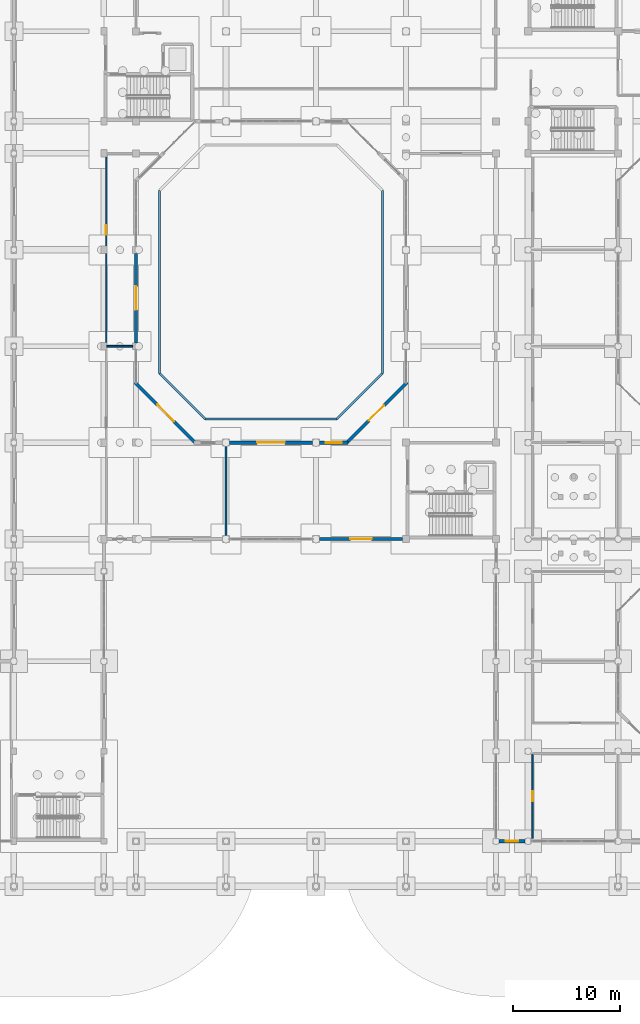
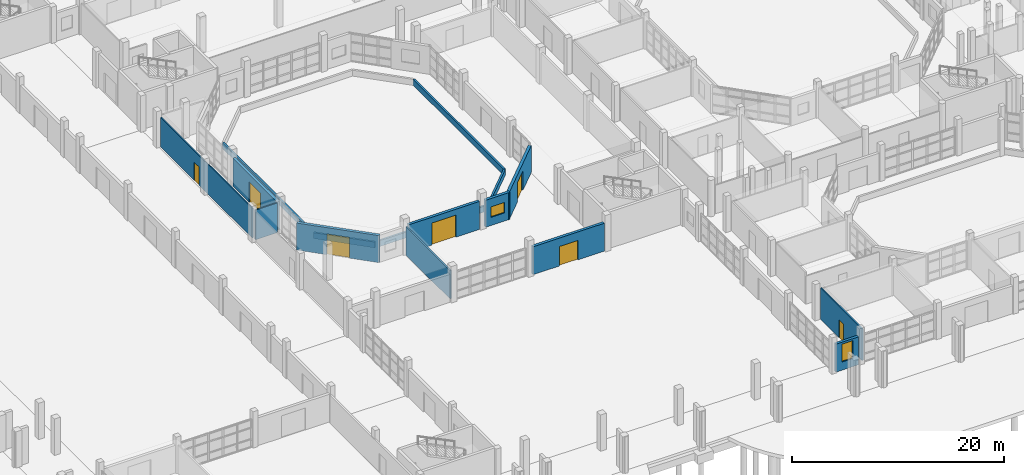
# One storey, part 57 of 88: 16 walls, 7 doors, 2 windows, 9 openings.
"""IFC4 building model written with IfcOpenShell, lengths in metres."""

from ifc_helpers import new_model, si_unit, direction, frame, frame_2d, origin, place, context, subcontext, project, spatial, rectangle, extrude, material, layer, layer_set, type_object, element, fill, save


model = new_model("IFC4")

# Units and contexts
model_context = context("Model", 3, precision=1e-05, world=origin(), true_north=direction((0.0, 1.0)))
body_context = subcontext(model_context, "Body", "Model", "MODEL_VIEW")
ifc_project = project(units=[si_unit("LENGTHUNIT", "METRE"), si_unit("AREAUNIT", "SQUARE_METRE"), si_unit("VOLUMEUNIT", "CUBIC_METRE"), si_unit("PLANEANGLEUNIT", "RADIAN"), si_unit("MASSUNIT", "GRAM", prefix="KILO")], contexts=[model_context])

# Site, building, storey
site_placement = place(None, origin())
site = spatial("IfcSite", under=ifc_project, at=site_placement, CompositionType="ELEMENT")
building_placement = place(site_placement, origin())
building = spatial("IfcBuilding", under=site, at=building_placement, Name="Vanh Quang Courtyard School", CompositionType="ELEMENT")
storey_placement = place(building_placement, origin())
storey = spatial("IfcBuildingStorey", under=building, at=storey_placement, Name="L00", CompositionType="ELEMENT", Elevation=0.0)

# Wall, opening, window
ifc_material_1 = material(Name="Concrete C35/45", Category="concrete")
ifc_layer_1 = layer(ifc_material_1, 0.300048828125)
ifc_layer_set_1 = layer_set([ifc_layer_1], Name="Concrete C35/45")
wall_type_1 = type_object("IfcWallType", Name="W-EXT-300", PredefinedType="SOLIDWALL", material=ifc_layer_set_1)
wall_1_placement = place(storey_placement, frame((77.126953125, 4.199951171875, 0.0), z_axis=(0.0, 0.0, 1.0), x_axis=(-1.0, 0.0, 0.0)))
wall_1 = element("IfcWall", 1, at=wall_1_placement, inside=storey, type_object=wall_type_1, Name="Wall WE-01 (L00)", PredefinedType="SOLIDWALL", context=body_context, shape_type="SweptSolid", body=[
    extrude(rectangle(XDim=2.453857421875, YDim=0.300048828125, at=frame_2d((1.22705078125, 0.0))), origin(), (0.0, 0.0, 1.0), 3.219970703125),
])
opening_1_placement = place(wall_1_placement, frame((0.626953125, 0.0, 0.949951171875)))
opening_1 = element("IfcOpeningElement", 2, at=opening_1_placement, cuts=wall_1, Name="Opening WN-28", PredefinedType="OPENING", context=body_context, shape_type="SweptSolid", body=[
    extrude(rectangle(XDim=1.199951171875, YDim=2.050048828125, at=frame_2d((0.60009765625, 1.02490234375))), frame((0.0, 0.16015625, 0.0), z_axis=(0.0, -1.0, 0.0), x_axis=(1.0, 0.0, 0.0)), (0.0, 0.0, 1.0), 0.320068359375),
])
ifc_material_2 = material(Name="Anodised aluminium and low-E double glazing", Category="aluminium")
window_type_1 = type_object("IfcWindowType", Name="WIN-TYP-28", PartitioningType="SINGLE_PANEL", PredefinedType="WINDOW", material=ifc_material_2)
window_1_placement = place(opening_1_placement, origin())
window_1 = element("IfcWindow", 3, at=window_1_placement, inside=storey, type_object=window_type_1, Name="Window WN-28 (L00)", OverallHeight=2.050048828125, OverallWidth=1.199951171875, PartitioningType="SINGLE_PANEL", PredefinedType="WINDOW", context=body_context, shape_type="SweptSolid", body=[
    extrude(rectangle(XDim=1.199951171875, YDim=2.050048828125, at=frame_2d((0.60009765625, 1.02490234375))), frame((0.0, 0.030029296875, 0.0), z_axis=(0.0, -1.0, 0.0), x_axis=(1.0, 0.0, 0.0)), (0.0, 0.0, 1.0), 0.06005859375),
])
fill(opening_1, window_1)

# Wall, opening, door
wall_2_placement = place(storey_placement, frame((65.677001953125, 32.39990234375, 0.0), z_axis=(0.0, 0.0, 1.0), x_axis=(-1.0, 0.0, 0.0)))
wall_2 = element("IfcWall", 4, at=wall_2_placement, inside=storey, type_object=wall_type_1, Name="Wall WE-01 (L00)", PredefinedType="SOLIDWALL", context=body_context, shape_type="SweptSolid", body=[
    extrude(rectangle(XDim=7.75390625, YDim=0.300048828125, at=frame_2d((3.876953125, 0.0))), origin(), (0.0, 0.0, 1.0), 3.219970703125),
])
opening_2_placement = place(wall_2_placement, frame((2.876953125, 0.0, 0.0)))
opening_2 = element("IfcOpeningElement", 5, at=opening_2_placement, cuts=wall_2, Name="Opening L00-EX26", PredefinedType="OPENING", context=body_context, shape_type="SweptSolid", body=[
    extrude(rectangle(XDim=2.0, YDim=2.25, at=frame_2d((1.0, 1.125))), frame((0.0, 0.16015625, 0.0), z_axis=(0.0, -1.0, 0.0), x_axis=(1.0, 0.0, 0.0)), (0.0, 0.0, 1.0), 0.320068359375),
])
ifc_material_3 = material(Name="Thermally broken aluminium and laminated safety glass", Category="aluminium")
door_type_1 = type_object("IfcDoorType", Name="EDR-TYP-10", OperationType="NOTDEFINED", PredefinedType="DOOR", material=ifc_material_3)
door_1_placement = place(opening_2_placement, origin())
door_1 = element("IfcDoor", 6, at=door_1_placement, inside=storey, type_object=door_type_1, Name="Door L00-EX26 (L00)", OperationType="DOUBLE_DOOR_SINGLE_SWING", OverallHeight=2.25, OverallWidth=2.0, PredefinedType="DOOR", context=body_context, shape_type="SweptSolid", body=[
    extrude(rectangle(XDim=2.0, YDim=2.25, at=frame_2d((1.0, 1.125))), frame((0.0, 0.02490234375, 0.0), z_axis=(0.0, -1.0, 0.0), x_axis=(1.0, 0.0, 0.0)), (0.0, 0.0, 1.0), 0.050048828125),
])
fill(opening_2, door_1)

wall_3_placement = place(storey_placement, frame((40.715087890625, 47.02880859375, 0.0), z_axis=(0.0, 0.0, 1.0), x_axis=(0.707121887885, -0.707091674165, 0.0)))
wall_3 = element("IfcWall", 7, at=wall_3_placement, inside=storey, type_object=wall_type_1, Name="Wall WE-01 (L00)", PredefinedType="SOLIDWALL", context=body_context, shape_type="SweptSolid", body=[
    extrude(rectangle(XDim=8.08056640625, YDim=0.300048828125, at=frame_2d((4.040283203125, 0.0))), origin(), (0.0, 0.0, 1.0), 3.1201171875),
])
opening_3_placement = place(wall_3_placement, frame((2.940185546875, 0.0, 0.0)))
opening_3 = element("IfcOpeningElement", 8, at=opening_3_placement, cuts=wall_3, Name="Opening L00-GT03", PredefinedType="OPENING", context=body_context, shape_type="SweptSolid", body=[
    extrude(rectangle(XDim=2.199951171875, YDim=2.39990234375, at=frame_2d((1.10009765625, 1.199951171875))), frame((0.0, 0.16015625, 0.0), z_axis=(0.0, -1.0, 0.0), x_axis=(1.0, 0.0, 0.0)), (0.0, 0.0, 1.0), 0.320068359375),
])
door_type_2 = type_object("IfcDoorType", Name="EDR-TYP-17", OperationType="NOTDEFINED", PredefinedType="GATE", material=ifc_material_3)
door_2_placement = place(opening_3_placement, origin())
door_2 = element("IfcDoor", 9, at=door_2_placement, inside=storey, type_object=door_type_2, Name="Door L00-GT03 (L00)", OperationType="DOUBLE_DOOR_SINGLE_SWING", OverallHeight=2.39990234375, OverallWidth=2.199951171875, PredefinedType="GATE", context=body_context, shape_type="SweptSolid", body=[
    extrude(rectangle(XDim=2.199951171875, YDim=2.39990234375, at=frame_2d((1.10009765625, 1.199951171875))), frame((0.0, 0.02490234375, 0.0), z_axis=(0.0, -1.0, 0.0), x_axis=(1.0, 0.0, 0.0)), (0.0, 0.0, 1.0), 0.050048828125),
])
fill(opening_3, door_2)

wall_4_placement = place(storey_placement, frame((49.52294921875, 41.39990234375, 0.0), z_axis=(0.0, 0.0, 1.0), x_axis=(1.0, 0.0, 0.0)))
wall_4 = element("IfcWall", 10, at=wall_4_placement, inside=storey, type_object=wall_type_1, Name="Wall WE-01 (L00)", PredefinedType="SOLIDWALL", context=body_context, shape_type="SweptSolid", body=[
    extrude(rectangle(XDim=7.754150390625, YDim=0.300048828125, at=frame_2d((3.876953125, 0.0))), origin(), (0.0, 0.0, 1.0), 3.219970703125),
])
opening_4_placement = place(wall_4_placement, frame((2.576904296875, 0.0, 0.0)))
opening_4 = element("IfcOpeningElement", 11, at=opening_4_placement, cuts=wall_4, Name="Opening L00-EX38", PredefinedType="OPENING", context=body_context, shape_type="SweptSolid", body=[
    extrude(rectangle(XDim=2.60009765625, YDim=2.550048828125, at=frame_2d((1.300048828125, 1.27490234375))), frame((0.0, 0.16015625, 0.0), z_axis=(0.0, -1.0, 0.0), x_axis=(1.0, 0.0, 0.0)), (0.0, 0.0, 1.0), 0.320068359375),
])
door_type_3 = type_object("IfcDoorType", Name="EDR-TYP-16", OperationType="NOTDEFINED", PredefinedType="DOOR", material=ifc_material_3)
door_3_placement = place(opening_4_placement, origin())
door_3 = element("IfcDoor", 12, at=door_3_placement, inside=storey, type_object=door_type_3, Name="Door L00-EX38 (L00)", OperationType="DOUBLE_DOOR_SINGLE_SWING", OverallHeight=2.550048828125, OverallWidth=2.60009765625, PredefinedType="DOOR", context=body_context, shape_type="SweptSolid", body=[
    extrude(rectangle(XDim=2.60009765625, YDim=2.550048828125, at=frame_2d((1.300048828125, 1.27490234375))), frame((0.0, 0.02490234375, 0.0), z_axis=(0.0, -1.0, 0.0), x_axis=(1.0, 0.0, 0.0)), (0.0, 0.0, 1.0), 0.050048828125),
])
fill(opening_4, door_3)

# Wall, opening, window
wall_5_placement = place(storey_placement, frame((57.923095703125, 41.39990234375, 0.0), z_axis=(0.0, 0.0, 1.0), x_axis=(1.0, 0.0, 0.0)))
wall_5 = element("IfcWall", 13, at=wall_5_placement, inside=storey, type_object=wall_type_1, Name="Wall WE-01 (L00)", PredefinedType="SOLIDWALL", context=body_context, shape_type="SweptSolid", body=[
    extrude(rectangle(XDim=2.65283203125, YDim=0.300048828125, at=frame_2d((1.326416015625, 0.0))), origin(), (0.0, 0.0, 1.0), 3.1201171875),
])
opening_5_placement = place(wall_5_placement, frame((0.576416015625, 0.0, 0.949951171875)))
opening_5 = element("IfcOpeningElement", 14, at=opening_5_placement, cuts=wall_5, Name="Opening WN-02", PredefinedType="OPENING", context=body_context, shape_type="SweptSolid", body=[
    extrude(rectangle(XDim=1.5, YDim=1.199951171875, at=frame_2d((0.75, 0.60009765625))), frame((0.0, 0.16015625, 0.0), z_axis=(0.0, -1.0, 0.0), x_axis=(1.0, 0.0, 0.0)), (0.0, 0.0, 1.0), 0.320068359375),
])
window_type_2 = type_object("IfcWindowType", Name="WIN-TYP-02", PartitioningType="SINGLE_PANEL", PredefinedType="WINDOW", material=ifc_material_2)
window_2_placement = place(opening_5_placement, origin())
window_2 = element("IfcWindow", 15, at=window_2_placement, inside=storey, type_object=window_type_2, Name="Window WN-02 (L00)", OverallHeight=1.199951171875, OverallWidth=1.5, PartitioningType="SINGLE_PANEL", PredefinedType="WINDOW", context=body_context, shape_type="SweptSolid", body=[
    extrude(rectangle(XDim=1.5, YDim=1.199951171875, at=frame_2d((0.75, 0.60009765625))), frame((0.0, 0.030029296875, 0.0), z_axis=(0.0, -1.0, 0.0), x_axis=(1.0, 0.0, 0.0)), (0.0, 0.0, 1.0), 0.06005859375),
])
fill(opening_5, window_2)

# Wall, opening, door
wall_6_placement = place(storey_placement, frame((60.37109375, 41.315185546875, 0.0), z_axis=(0.0, 0.0, 1.0), x_axis=(0.707121887885, 0.707091674165, 0.0)))
wall_6 = element("IfcWall", 16, at=wall_6_placement, inside=storey, type_object=wall_type_1, Name="Wall WE-01 (L00)", PredefinedType="SOLIDWALL", context=body_context, shape_type="SweptSolid", body=[
    extrude(rectangle(XDim=8.08056640625, YDim=0.300048828125, at=frame_2d((4.040283203125, 0.0))), origin(), (0.0, 0.0, 1.0), 3.1201171875),
])
opening_6_placement = place(wall_6_placement, frame((3.040283203125, 0.0, 0.0)))
opening_6 = element("IfcOpeningElement", 17, at=opening_6_placement, cuts=wall_6, Name="Opening L00-EX39", PredefinedType="OPENING", context=body_context, shape_type="SweptSolid", body=[
    extrude(rectangle(XDim=2.0, YDim=2.25, at=frame_2d((1.0, 1.125))), frame((0.0, 0.16015625, 0.0), z_axis=(0.0, -1.0, 0.0), x_axis=(1.0, 0.0, 0.0)), (0.0, 0.0, 1.0), 0.320068359375),
])
door_4_placement = place(opening_6_placement, origin())
door_4 = element("IfcDoor", 18, at=door_4_placement, inside=storey, type_object=door_type_1, Name="Door L00-EX39 (L00)", OperationType="DOUBLE_DOOR_SINGLE_SWING", OverallHeight=2.25, OverallWidth=2.0, PredefinedType="DOOR", context=body_context, shape_type="SweptSolid", body=[
    extrude(rectangle(XDim=2.0, YDim=2.25, at=frame_2d((1.0, 1.125))), frame((0.0, 0.02490234375, 0.0), z_axis=(0.0, -1.0, 0.0), x_axis=(1.0, 0.0, 0.0)), (0.0, 0.0, 1.0), 0.050048828125),
])
fill(opening_6, door_4)

wall_7_placement = place(storey_placement, frame((40.800048828125, 59.076904296875, 0.0), z_axis=(0.0, 0.0, 1.0), x_axis=(0.0, -1.0, 0.0)))
wall_7 = element("IfcWall", 19, at=wall_7_placement, inside=storey, type_object=wall_type_1, Name="Wall WE-01 (L00)", PredefinedType="SOLIDWALL", context=body_context, shape_type="SweptSolid", body=[
    extrude(rectangle(XDim=8.35400390625, YDim=0.300048828125, at=frame_2d((4.177001953125, 0.0))), origin(), (0.0, 0.0, 1.0), 3.219970703125),
])
opening_7_placement = place(wall_7_placement, frame((3.076904296875, 0.0, 0.0)))
opening_7 = element("IfcOpeningElement", 20, at=opening_7_placement, cuts=wall_7, Name="Opening L00-EX41", PredefinedType="OPENING", context=body_context, shape_type="SweptSolid", body=[
    extrude(rectangle(XDim=2.199951171875, YDim=2.35009765625, at=frame_2d((1.10009765625, 1.175048828125))), frame((0.0, 0.16015625, 0.0), z_axis=(0.0, -1.0, 0.0), x_axis=(1.0, 0.0, 0.0)), (0.0, 0.0, 1.0), 0.320068359375),
])
door_type_4 = type_object("IfcDoorType", Name="EDR-TYP-12", OperationType="NOTDEFINED", PredefinedType="DOOR", material=ifc_material_3)
door_5_placement = place(opening_7_placement, origin())
door_5 = element("IfcDoor", 21, at=door_5_placement, inside=storey, type_object=door_type_4, Name="Door L00-EX41 (L00)", OperationType="DOUBLE_DOOR_SINGLE_SWING", OverallHeight=2.35009765625, OverallWidth=2.199951171875, PredefinedType="DOOR", context=body_context, shape_type="SweptSolid", body=[
    extrude(rectangle(XDim=2.199951171875, YDim=2.35009765625, at=frame_2d((1.10009765625, 1.175048828125))), frame((0.0, 0.02490234375, 0.0), z_axis=(0.0, -1.0, 0.0), x_axis=(1.0, 0.0, 0.0)), (0.0, 0.0, 1.0), 0.050048828125),
])
fill(opening_7, door_5)

# Walls
ifc_layer_2 = layer(ifc_material_1, 0.199951171875)
ifc_layer_set_2 = layer_set([ifc_layer_2], Name="Concrete C35/45")
wall_type_2 = type_object("IfcWallType", Name="W-PAR-200", PredefinedType="PARAPET", material=ifc_layer_set_2)
wall_8_placement = place(storey_placement, frame((47.25537109375, 43.60009765625, 0.0), z_axis=(0.0, 0.0, 1.0), x_axis=(-0.707127065665, 0.707086496126, 0.0)))
element("IfcWall", 22, at=wall_8_placement, inside=storey, type_object=wall_type_2, Name="Wall WP-01 (L00)", PredefinedType="PARAPET", context=body_context, shape_type="SweptSolid", body=[
    extrude(rectangle(XDim=6.017822265625, YDim=0.199951171875, at=frame_2d((3.0087890625, 0.0))), origin(), (0.0, 0.0, 1.0), 0.679931640625),
])
for number, where, z_axis, x_axis, name in (
    (23, (43.0, 47.855224609375, 0.0), (0.0, 0.0, 1.0), (0.0, 1.0, 0.0), "Wall WP-01 (L00)"),
    (24, (63.800048828125, 64.944580078125, 0.0), (0.0, 0.0, 1.0), (0.0, -1.0, 0.0), "Wall WP-01 (L00)"),
):
    element("IfcWall", number, at=place(storey_placement, frame(where, z_axis=z_axis, x_axis=x_axis)), inside=storey, type_object=wall_type_2, Name=name, PredefinedType="PARAPET", context=body_context, shape_type="SweptSolid", body=[
        extrude(rectangle(XDim=17.08935546875, YDim=0.199951171875, at=frame_2d((8.544677734375, 0.0))), origin(), (0.0, 0.0, 1.0), 0.679931640625),
    ])
wall_9_placement = place(storey_placement, frame((63.800048828125, 47.855224609375, 0.0), z_axis=(0.0, 0.0, 1.0), x_axis=(-0.707127065665, -0.707086496126, 0.0)))
element("IfcWall", 25, at=wall_9_placement, inside=storey, type_object=wall_type_2, Name="Wall WP-01 (L00)", PredefinedType="PARAPET", context=body_context, shape_type="SweptSolid", body=[
    extrude(rectangle(XDim=6.017822265625, YDim=0.199951171875, at=frame_2d((3.0087890625, 0.0))), origin(), (0.0, 0.0, 1.0), 0.679931640625),
])
wall_10_placement = place(storey_placement, frame((59.544677734375, 43.60009765625, 0.0), z_axis=(0.0, 0.0, 1.0), x_axis=(-1.0, 0.0, 0.0)))
element("IfcWall", 26, at=wall_10_placement, inside=storey, type_object=wall_type_2, Name="Wall WP-01 (L00)", PredefinedType="PARAPET", context=body_context, shape_type="SweptSolid", body=[
    extrude(rectangle(XDim=12.289306640625, YDim=0.199951171875, at=frame_2d((6.14453125, 0.0))), origin(), (0.0, 0.0, 1.0), 0.679931640625),
])

# Wall, opening, door
ifc_material_4 = material(Name="Acoustic gypsum stud partition", Category="gypsum")
ifc_layer_3 = layer(ifc_material_4, 0.1201171875)
ifc_layer_set_3 = layer_set([ifc_layer_3], Name="Acoustic gypsum stud partition")
wall_type_3 = type_object("IfcWallType", Name="W-PART-120", PredefinedType="PARTITIONING", material=ifc_layer_set_3)
wall_11_placement = place(storey_placement, frame((38.02001953125, 50.748046875, 0.0), z_axis=(0.0, 0.0, 1.0), x_axis=(0.0, 1.0, 0.0)))
wall_11 = element("IfcWall", 27, at=wall_11_placement, inside=storey, type_object=wall_type_3, Name="Wall W-PRT2 (L00)", PredefinedType="PARTITIONING", context=body_context, shape_type="SweptSolid", body=[
    extrude(rectangle(XDim=17.303955078125, YDim=0.1201171875, at=frame_2d((8.65185546875, 0.0))), origin(), (0.0, 0.0, 1.0), 3.419921875),
])
opening_8_placement = place(wall_11_placement, frame((10.0419921875, 0.0, 0.0)))
opening_8 = element("IfcOpeningElement", 28, at=opening_8_placement, cuts=wall_11, Name="Opening L00-D017", PredefinedType="OPENING", context=body_context, shape_type="SweptSolid", body=[
    extrude(rectangle(XDim=0.919921875, YDim=2.10009765625, at=frame_2d((0.4599609375, 1.050048828125))), frame((0.0, 0.070068359375, 0.0), z_axis=(0.0, -1.0, 0.0), x_axis=(1.0, 0.0, 0.0)), (0.0, 0.0, 1.0), 0.14013671875),
])
ifc_material_5 = material(Name="Solid-core hardwood acoustic door", Category="wood")
door_type_5 = type_object("IfcDoorType", Name="IDR-STF-0920x2100", OperationType="NOTDEFINED", PredefinedType="DOOR", material=ifc_material_5)
door_6_placement = place(opening_8_placement, origin())
door_6 = element("IfcDoor", 29, at=door_6_placement, inside=storey, type_object=door_type_5, Name="Door L00-D017 (L00)", OperationType="SINGLE_SWING_RIGHT", OverallHeight=2.10009765625, OverallWidth=0.919921875, PredefinedType="DOOR", context=body_context, shape_type="SweptSolid", body=[
    extrude(rectangle(XDim=0.919921875, YDim=2.10009765625, at=frame_2d((0.4599609375, 1.050048828125))), frame((0.0, 0.02490234375, 0.0), z_axis=(0.0, -1.0, 0.0), x_axis=(1.0, 0.0, 0.0)), (0.0, 0.0, 1.0), 0.050048828125),
])
fill(opening_8, door_6)

# Walls
ifc_material_6 = material(Name="Autoclaved aerated masonry blockwork", Category="masonry")
ifc_layer_4 = layer(ifc_material_6, 0.14990234375)
ifc_layer_set_4 = layer_set([ifc_layer_4], Name="Autoclaved aerated masonry blockwork")
wall_type_4 = type_object("IfcWallType", Name="W-PART-150", PredefinedType="PARTITIONING", material=ifc_layer_set_4)
wall_12_placement = place(storey_placement, frame((49.199951171875, 41.076904296875, 0.0), z_axis=(0.0, 0.0, 1.0), x_axis=(0.0, -1.0, 0.0)))
element("IfcWall", 30, at=wall_12_placement, inside=storey, type_object=wall_type_4, Name="Wall W-PRT1 (L00)", PredefinedType="PARTITIONING", context=body_context, shape_type="SweptSolid", body=[
    extrude(rectangle(XDim=8.35400390625, YDim=0.14990234375, at=frame_2d((4.177001953125, 0.0))), origin(), (0.0, 0.0, 1.0), 3.27001953125),
])
wall_13_placement = place(storey_placement, frame((38.072998046875, 50.39990234375, 0.0), z_axis=(0.0, 0.0, 1.0), x_axis=(1.0, 0.0, 0.0)))
element("IfcWall", 31, at=wall_13_placement, inside=storey, type_object=wall_type_4, Name="Wall W-PRT1 (L00)", PredefinedType="PARTITIONING", context=body_context, shape_type="SweptSolid", body=[
    extrude(rectangle(XDim=2.404052734375, YDim=0.14990234375, at=frame_2d((1.2021484375, 0.0))), origin(), (0.0, 0.0, 1.0), 3.419921875),
])

# Wall, opening, door
wall_14_placement = place(storey_placement, frame((77.820068359375, 4.472900390625, 0.0), z_axis=(0.0, 0.0, 1.0), x_axis=(0.0, 1.0, 0.0)))
wall_14 = element("IfcWall", 32, at=wall_14_placement, inside=storey, type_object=wall_type_4, Name="Wall W-PRT1 (L00)", PredefinedType="PARTITIONING", context=body_context, shape_type="SweptSolid", body=[
    extrude(rectangle(XDim=7.85400390625, YDim=0.14990234375, at=frame_2d((3.927001953125, 0.0))), origin(), (0.0, 0.0, 1.0), 3.6201171875),
])
opening_9_placement = place(wall_14_placement, frame((3.47705078125, 0.0, 0.0)))
opening_9 = element("IfcOpeningElement", 33, at=opening_9_placement, cuts=wall_14, Name="Opening L00-D020", PredefinedType="OPENING", context=body_context, shape_type="SweptSolid", body=[
    extrude(rectangle(XDim=0.89990234375, YDim=2.050048828125, at=frame_2d((0.449951171875, 1.02490234375))), frame((0.0, 0.0849609375, 0.0), z_axis=(0.0, -1.0, 0.0), x_axis=(1.0, 0.0, 0.0)), (0.0, 0.0, 1.0), 0.169921875),
])
ifc_material_7 = material(Name="Painted galvanised steel fire door", Category="steel")
door_type_6 = type_object("IfcDoorType", Name="IDR-RS-0900x2050", OperationType="NOTDEFINED", PredefinedType="DOOR", material=ifc_material_7)
door_7_placement = place(opening_9_placement, origin())
door_7 = element("IfcDoor", 34, at=door_7_placement, inside=storey, type_object=door_type_6, Name="Door L00-D020 (L00)", OperationType="SINGLE_SWING_LEFT", OverallHeight=2.050048828125, OverallWidth=0.89990234375, PredefinedType="DOOR", context=body_context, shape_type="SweptSolid", body=[
    extrude(rectangle(XDim=0.89990234375, YDim=2.050048828125, at=frame_2d((0.449951171875, 1.02490234375))), frame((0.0, 0.02490234375, 0.0), z_axis=(0.0, -1.0, 0.0), x_axis=(1.0, 0.0, 0.0)), (0.0, 0.0, 1.0), 0.050048828125),
])
fill(opening_9, door_7)

save(model, "model.ifc")
